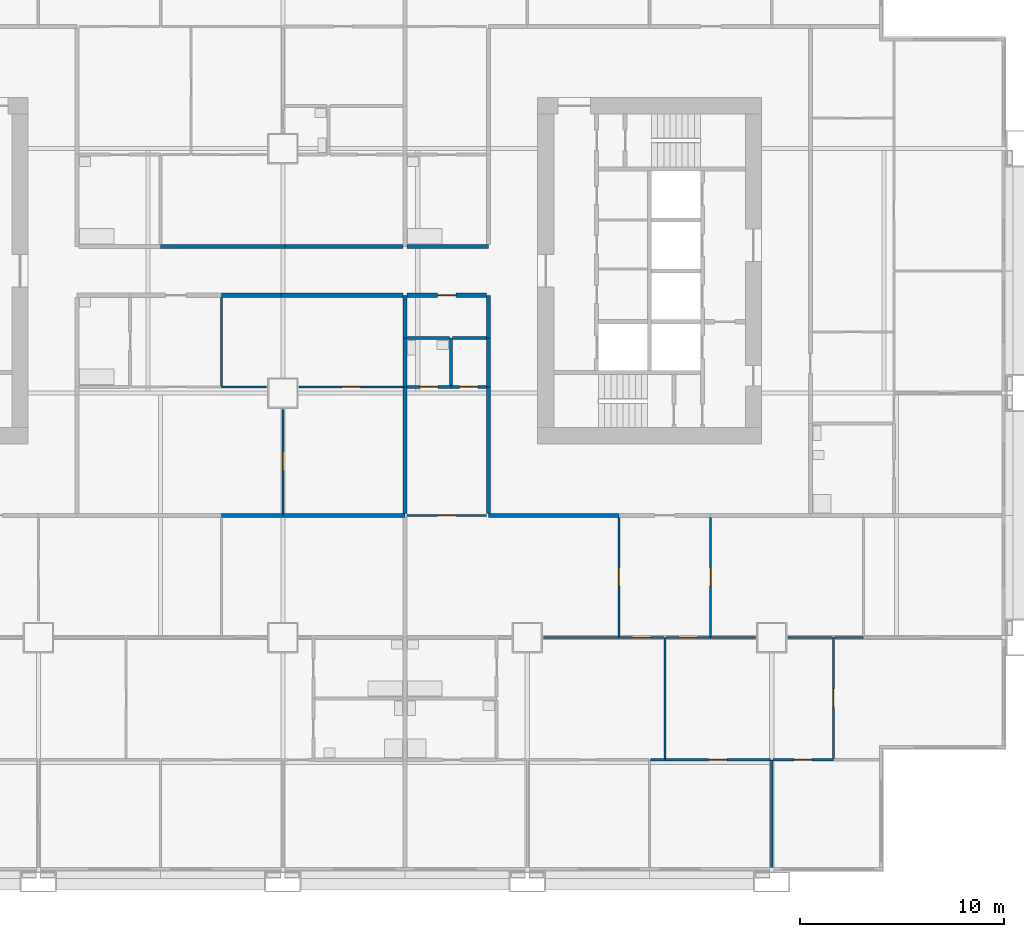
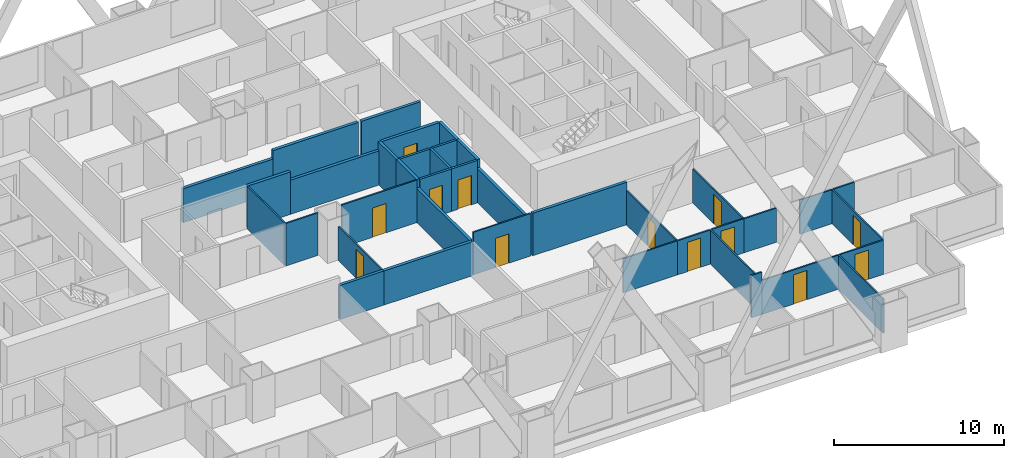
# One storey, part 6 of 13: 39 walls, 13 doors, 13 openings.
"""IFC4 building model written with IfcOpenShell, lengths in metres."""

from ifc_helpers import new_model, si_unit, direction, frame, frame_2d, origin, place, context, subcontext, project, spatial, rectangle, extrude, material, layer, layer_set, type_object, element, fill, save


model = new_model("IFC4")

# Units and contexts
model_context = context("Model", 3, precision=1e-05, world=origin(), true_north=direction((0.0, 1.0)))
body_context = subcontext(model_context, "Body", "Model", "MODEL_VIEW")
ifc_project = project(units=[si_unit("LENGTHUNIT", "METRE"), si_unit("AREAUNIT", "SQUARE_METRE"), si_unit("VOLUMEUNIT", "CUBIC_METRE"), si_unit("PLANEANGLEUNIT", "RADIAN"), si_unit("MASSUNIT", "GRAM", prefix="KILO")], contexts=[model_context])

# Site, building, storey
site_placement = place(None, origin())
site = spatial("IfcSite", under=ifc_project, at=site_placement, CompositionType="ELEMENT")
building_placement = place(site_placement, origin())
building = spatial("IfcBuilding", under=site, at=building_placement, Name="Kitamizu Gate Tower and Museum", CompositionType="ELEMENT")
storey_placement = place(building_placement, frame((0.0, 0.0, 50.699951171875)))
storey = spatial("IfcBuildingStorey", under=building, at=storey_placement, Name="L11", CompositionType="ELEMENT", Elevation=50.699951171875)

# Wall, opening, door
ifc_material_1 = material(Name="Gypsum board on galvanised stud")
ifc_layer_1 = layer(ifc_material_1, 0.10009765625)
ifc_layer_set_1 = layer_set([ifc_layer_1], Name="Gypsum board on galvanised stud")
wall_type_1 = type_object("IfcWallType", Name="Partition 100 NOT RATED", PredefinedType="PARTITIONING", material=ifc_layer_set_1)
wall_1_placement = place(storey_placement, frame((36.0, 18.10009765625, 0.0), z_axis=(0.0, 0.0, 1.0), x_axis=(0.0, 1.0, 0.0)))
wall_1 = element("IfcWall", 1, at=wall_1_placement, inside=storey, type_object=wall_type_1, Name="Partition L11-059", PredefinedType="PARTITIONING", context=body_context, shape_type="SweptSolid", body=[
    extrude(rectangle(XDim=5.099853515625, YDim=0.10009765625, at=frame_2d((2.5498046875, 0.0))), origin(), (0.0, 0.0, 1.0), 2.449951171875),
])
opening_1_placement = place(wall_1_placement, frame((2.10009765625, 0.0, 0.0)))
opening_1 = element("IfcOpeningElement", 2, at=opening_1_placement, cuts=wall_1, Name="Opening L11-023", PredefinedType="OPENING", context=body_context, shape_type="SweptSolid", body=[
    extrude(rectangle(XDim=0.89990234375, YDim=2.10009765625, at=frame_2d((0.449951171875, 1.050048828125))), frame((0.0, 0.06005859375, 0.0), z_axis=(0.0, -1.0, 0.0), x_axis=(1.0, 0.0, 0.0)), (0.0, 0.0, 1.0), 0.1201171875),
])
ifc_material_2 = material(Name="Timber door set", Category="wood")
door_type_1 = type_object("IfcDoorType", Name="Room door 900", OperationType="NOTDEFINED", PredefinedType="DOOR", material=ifc_material_2)
door_1_placement = place(opening_1_placement, frame((0.89990234375, 0.0, 0.0), x_axis=(-1.0, 0.0, 0.0)))
door_1 = element("IfcDoor", 3, at=door_1_placement, inside=storey, type_object=door_type_1, Name="Door L11-023", OperationType="SINGLE_SWING_LEFT", OverallHeight=2.10009765625, OverallWidth=0.89990234375, PredefinedType="DOOR", context=body_context, shape_type="SweptSolid", body=[
    extrude(rectangle(XDim=0.89990234375, YDim=2.10009765625, at=frame_2d((0.449951171875, 1.050048828125))), frame((0.0, 0.02490234375, 0.0), z_axis=(0.0, -1.0, 0.0), x_axis=(1.0, 0.0, 0.0)), (0.0, 0.0, 1.0), 0.050048828125),
])
fill(opening_1, door_1)

# Wall
wall_2_placement = place(storey_placement, frame((35.199951171875, 24.300048828125, 0.0), z_axis=(0.0, 0.0, 1.0), x_axis=(-1.0, 0.0, 0.0)))
element("IfcWall", 4, at=wall_2_placement, inside=storey, type_object=wall_type_1, Name="Partition L11-062", PredefinedType="PARTITIONING", context=body_context, shape_type="SweptSolid", body=[
    extrude(rectangle(XDim=2.199951171875, YDim=0.10009765625, at=frame_2d((1.10009765625, 0.0))), origin(), (0.0, 0.0, 1.0), 3.050048828125),
])

# Wall, opening, door
wall_3_placement = place(storey_placement, frame((41.89990234375, 24.300048828125, 0.0), z_axis=(0.0, 0.0, 1.0), x_axis=(-1.0, 0.0, 0.0)))
wall_3 = element("IfcWall", 5, at=wall_3_placement, inside=storey, type_object=wall_type_1, Name="Partition L11-065", PredefinedType="PARTITIONING", context=body_context, shape_type="SweptSolid", body=[
    extrude(rectangle(XDim=5.099853515625, YDim=0.10009765625, at=frame_2d((2.5498046875, 0.0))), origin(), (0.0, 0.0, 1.0), 3.050048828125),
])
opening_2_placement = place(wall_3_placement, frame((2.10009765625, 0.0, 0.0)))
opening_2 = element("IfcOpeningElement", 6, at=opening_2_placement, cuts=wall_3, Name="Opening L11-025", PredefinedType="OPENING", context=body_context, shape_type="SweptSolid", body=[
    extrude(rectangle(XDim=0.89990234375, YDim=2.10009765625, at=frame_2d((0.449951171875, 1.050048828125))), frame((0.0, 0.06005859375, 0.0), z_axis=(0.0, -1.0, 0.0), x_axis=(1.0, 0.0, 0.0)), (0.0, 0.0, 1.0), 0.1201171875),
])
door_2_placement = place(opening_2_placement, origin())
door_2 = element("IfcDoor", 7, at=door_2_placement, inside=storey, type_object=door_type_1, Name="Door L11-025", OperationType="SINGLE_SWING_RIGHT", OverallHeight=2.10009765625, OverallWidth=0.89990234375, PredefinedType="DOOR", context=body_context, shape_type="SweptSolid", body=[
    extrude(rectangle(XDim=0.89990234375, YDim=2.10009765625, at=frame_2d((0.449951171875, 1.050048828125))), frame((0.0, 0.02490234375, 0.0), z_axis=(0.0, -1.0, 0.0), x_axis=(1.0, 0.0, 0.0)), (0.0, 0.0, 1.0), 0.050048828125),
])
fill(opening_2, door_2)

# Walls
wall_4_placement = place(storey_placement, frame((33.0, 24.35009765625, 0.0), z_axis=(0.0, 0.0, 1.0), x_axis=(0.0, 1.0, 0.0)))
element("IfcWall", 8, at=wall_4_placement, inside=storey, type_object=wall_type_1, Name="Partition L11-070", PredefinedType="PARTITIONING", context=body_context, shape_type="SweptSolid", body=[
    extrude(rectangle(XDim=4.349853515625, YDim=0.10009765625, at=frame_2d((2.1748046875, 0.0))), origin(), (0.0, 0.0, 1.0), 3.050048828125),
])
wall_5_placement = place(storey_placement, frame((60.0, 0.719970703125, 0.0), z_axis=(0.0, 0.0, 1.0), x_axis=(0.0, 1.0, 0.0)))
element("IfcWall", 9, at=wall_5_placement, inside=storey, type_object=wall_type_1, Name="Partition L11-081", PredefinedType="PARTITIONING", context=body_context, shape_type="SweptSolid", body=[
    extrude(rectangle(XDim=5.280029296875, YDim=0.10009765625, at=frame_2d((2.64013671875, 0.0))), origin(), (0.0, 0.0, 1.0), 2.449951171875),
])
wall_6_placement = place(storey_placement, frame((54.760009765625, 6.0, 0.0), z_axis=(0.0, 0.0, 1.0), x_axis=(-1.0, 0.0, 0.0)))
element("IfcWall", 10, at=wall_6_placement, inside=storey, type_object=wall_type_1, Name="Partition L11-082", PredefinedType="PARTITIONING", context=body_context, shape_type="SweptSolid", body=[
    extrude(rectangle(XDim=0.7099609375, YDim=0.10009765625, at=frame_2d((0.35498046875, 0.0))), origin(), (0.0, 0.0, 1.0), 3.050048828125),
])

# Wall, opening, door
wall_7_placement = place(storey_placement, frame((59.949951171875, 6.0, 0.0), z_axis=(0.0, 0.0, 1.0), x_axis=(-1.0, 0.0, 0.0)))
wall_7 = element("IfcWall", 11, at=wall_7_placement, inside=storey, type_object=wall_type_1, Name="Partition L11-083", PredefinedType="PARTITIONING", context=body_context, shape_type="SweptSolid", body=[
    extrude(rectangle(XDim=5.18994140625, YDim=0.10009765625, at=frame_2d((2.594970703125, 0.0))), origin(), (0.0, 0.0, 1.0), 2.449951171875),
])
opening_3_placement = place(wall_7_placement, frame((2.14501953125, 0.0, 0.0)))
opening_3 = element("IfcOpeningElement", 12, at=opening_3_placement, cuts=wall_7, Name="Opening L11-033", PredefinedType="OPENING", context=body_context, shape_type="SweptSolid", body=[
    extrude(rectangle(XDim=0.89990234375, YDim=2.10009765625, at=frame_2d((0.449951171875, 1.050048828125))), frame((0.0, 0.06005859375, 0.0), z_axis=(0.0, -1.0, 0.0), x_axis=(1.0, 0.0, 0.0)), (0.0, 0.0, 1.0), 0.1201171875),
])
door_3_placement = place(opening_3_placement, origin())
door_3 = element("IfcDoor", 13, at=door_3_placement, inside=storey, type_object=door_type_1, Name="Door L11-033", OperationType="SINGLE_SWING_LEFT", OverallHeight=2.10009765625, OverallWidth=0.89990234375, PredefinedType="DOOR", context=body_context, shape_type="SweptSolid", body=[
    extrude(rectangle(XDim=0.89990234375, YDim=2.10009765625, at=frame_2d((0.449951171875, 1.050048828125))), frame((0.0, 0.02490234375, 0.0), z_axis=(0.0, -1.0, 0.0), x_axis=(1.0, 0.0, 0.0)), (0.0, 0.0, 1.0), 0.050048828125),
])
fill(opening_3, door_3)

wall_8_placement = place(storey_placement, frame((63.02001953125, 6.0, 0.0), z_axis=(0.0, 0.0, 1.0), x_axis=(-1.0, 0.0, 0.0)))
wall_8 = element("IfcWall", 14, at=wall_8_placement, inside=storey, type_object=wall_type_1, Name="Partition L11-084", PredefinedType="PARTITIONING", context=body_context, shape_type="SweptSolid", body=[
    extrude(rectangle(XDim=2.969970703125, YDim=0.10009765625, at=frame_2d((1.48486328125, 0.0))), origin(), (0.0, 0.0, 1.0), 2.449951171875),
])
opening_4_placement = place(wall_8_placement, frame((1.034912109375, 0.0, 0.0)))
opening_4 = element("IfcOpeningElement", 15, at=opening_4_placement, cuts=wall_8, Name="Opening L11-034", PredefinedType="OPENING", context=body_context, shape_type="SweptSolid", body=[
    extrude(rectangle(XDim=0.89990234375, YDim=2.10009765625, at=frame_2d((0.449951171875, 1.050048828125))), frame((0.0, 0.06005859375, 0.0), z_axis=(0.0, -1.0, 0.0), x_axis=(1.0, 0.0, 0.0)), (0.0, 0.0, 1.0), 0.1201171875),
])
door_4_placement = place(opening_4_placement, origin())
door_4 = element("IfcDoor", 16, at=door_4_placement, inside=storey, type_object=door_type_1, Name="Door L11-034", OperationType="SINGLE_SWING_LEFT", OverallHeight=2.10009765625, OverallWidth=0.89990234375, PredefinedType="DOOR", context=body_context, shape_type="SweptSolid", body=[
    extrude(rectangle(XDim=0.89990234375, YDim=2.10009765625, at=frame_2d((0.449951171875, 1.050048828125))), frame((0.0, 0.02490234375, 0.0), z_axis=(0.0, -1.0, 0.0), x_axis=(1.0, 0.0, 0.0)), (0.0, 0.0, 1.0), 0.050048828125),
])
fill(opening_4, door_4)

# Walls
wall_9_placement = place(storey_placement, frame((54.760009765625, 6.050048828125, 0.0), z_axis=(0.0, 0.0, 1.0), x_axis=(0.0, 1.0, 0.0)))
element("IfcWall", 17, at=wall_9_placement, inside=storey, type_object=wall_type_1, Name="Partition L11-090", PredefinedType="PARTITIONING", context=body_context, shape_type="SweptSolid", body=[
    extrude(rectangle(XDim=5.949951171875, YDim=0.10009765625, at=frame_2d((2.97509765625, 0.0))), origin(), (0.0, 0.0, 1.0), 2.449951171875),
])
wall_10_placement = place(storey_placement, frame((52.5, 12.0, 0.0), z_axis=(0.0, 0.0, 1.0), x_axis=(-1.0, 0.0, 0.0)))
element("IfcWall", 18, at=wall_10_placement, inside=storey, type_object=wall_type_1, Name="Partition L11-092", PredefinedType="PARTITIONING", context=body_context, shape_type="SweptSolid", body=[
    extrude(rectangle(XDim=3.699951171875, YDim=0.10009765625, at=frame_2d((1.85009765625, 0.0))), origin(), (0.0, 0.0, 1.0), 2.449951171875),
])

# Wall, opening, door
wall_11_placement = place(storey_placement, frame((54.7099609375, 12.0, 0.0), z_axis=(0.0, 0.0, 1.0), x_axis=(-1.0, 0.0, 0.0)))
wall_11 = element("IfcWall", 19, at=wall_11_placement, inside=storey, type_object=wall_type_1, Name="Partition L11-093", PredefinedType="PARTITIONING", context=body_context, shape_type="SweptSolid", body=[
    extrude(rectangle(XDim=2.2099609375, YDim=0.10009765625, at=frame_2d((1.10498046875, 0.0))), origin(), (0.0, 0.0, 1.0), 2.449951171875),
])
opening_5_placement = place(wall_11_placement, frame((0.655029296875, 0.0, 0.0)))
opening_5 = element("IfcOpeningElement", 20, at=opening_5_placement, cuts=wall_11, Name="Opening L11-027", PredefinedType="OPENING", context=body_context, shape_type="SweptSolid", body=[
    extrude(rectangle(XDim=0.89990234375, YDim=2.10009765625, at=frame_2d((0.449951171875, 1.050048828125))), frame((0.0, 0.06005859375, 0.0), z_axis=(0.0, -1.0, 0.0), x_axis=(1.0, 0.0, 0.0)), (0.0, 0.0, 1.0), 0.1201171875),
])
door_5_placement = place(opening_5_placement, frame((0.89990234375, 0.0, 0.0), x_axis=(-1.0, 0.0, 0.0)))
door_5 = element("IfcDoor", 21, at=door_5_placement, inside=storey, type_object=door_type_1, Name="Door L11-027", OperationType="SINGLE_SWING_RIGHT", OverallHeight=2.10009765625, OverallWidth=0.89990234375, PredefinedType="DOOR", context=body_context, shape_type="SweptSolid", body=[
    extrude(rectangle(XDim=0.89990234375, YDim=2.10009765625, at=frame_2d((0.449951171875, 1.050048828125))), frame((0.0, 0.02490234375, 0.0), z_axis=(0.0, -1.0, 0.0), x_axis=(1.0, 0.0, 0.0)), (0.0, 0.0, 1.0), 0.050048828125),
])
fill(opening_5, door_5)

wall_12_placement = place(storey_placement, frame((63.02001953125, 6.050048828125, 0.0), z_axis=(0.0, 0.0, 1.0), x_axis=(0.0, 1.0, 0.0)))
wall_12 = element("IfcWall", 22, at=wall_12_placement, inside=storey, type_object=wall_type_1, Name="Partition L11-094", PredefinedType="PARTITIONING", context=body_context, shape_type="SweptSolid", body=[
    extrude(rectangle(XDim=5.949951171875, YDim=0.10009765625, at=frame_2d((2.97509765625, 0.0))), origin(), (0.0, 0.0, 1.0), 2.449951171875),
])
opening_6_placement = place(wall_12_placement, frame((2.52490234375, 0.0, 0.0)))
opening_6 = element("IfcOpeningElement", 23, at=opening_6_placement, cuts=wall_12, Name="Opening L11-030", PredefinedType="OPENING", context=body_context, shape_type="SweptSolid", body=[
    extrude(rectangle(XDim=0.89990234375, YDim=2.10009765625, at=frame_2d((0.449951171875, 1.050048828125))), frame((0.0, 0.06005859375, 0.0), z_axis=(0.0, -1.0, 0.0), x_axis=(1.0, 0.0, 0.0)), (0.0, 0.0, 1.0), 0.1201171875),
])
door_6_placement = place(opening_6_placement, frame((0.89990234375, 0.0, 0.0), x_axis=(-1.0, 0.0, 0.0)))
door_6 = element("IfcDoor", 24, at=door_6_placement, inside=storey, type_object=door_type_1, Name="Door L11-030", OperationType="SINGLE_SWING_LEFT", OverallHeight=2.10009765625, OverallWidth=0.89990234375, PredefinedType="DOOR", context=body_context, shape_type="SweptSolid", body=[
    extrude(rectangle(XDim=0.89990234375, YDim=2.10009765625, at=frame_2d((0.449951171875, 1.050048828125))), frame((0.0, 0.02490234375, 0.0), z_axis=(0.0, -1.0, 0.0), x_axis=(1.0, 0.0, 0.0)), (0.0, 0.0, 1.0), 0.050048828125),
])
fill(opening_6, door_6)

wall_13_placement = place(storey_placement, frame((57.0, 12.0, 0.0), z_axis=(0.0, 0.0, 1.0), x_axis=(-1.0, 0.0, 0.0)))
wall_13 = element("IfcWall", 25, at=wall_13_placement, inside=storey, type_object=wall_type_1, Name="Partition L11-095", PredefinedType="PARTITIONING", context=body_context, shape_type="SweptSolid", body=[
    extrude(rectangle(XDim=2.18994140625, YDim=0.10009765625, at=frame_2d((1.094970703125, 0.0))), origin(), (0.0, 0.0, 1.0), 2.449951171875),
])
opening_7_placement = place(wall_13_placement, frame((0.64501953125, 0.0, 0.0)))
opening_7 = element("IfcOpeningElement", 26, at=opening_7_placement, cuts=wall_13, Name="Opening L11-028", PredefinedType="OPENING", context=body_context, shape_type="SweptSolid", body=[
    extrude(rectangle(XDim=0.89990234375, YDim=2.10009765625, at=frame_2d((0.449951171875, 1.050048828125))), frame((0.0, 0.06005859375, 0.0), z_axis=(0.0, -1.0, 0.0), x_axis=(1.0, 0.0, 0.0)), (0.0, 0.0, 1.0), 0.1201171875),
])
door_7_placement = place(opening_7_placement, origin())
door_7 = element("IfcDoor", 27, at=door_7_placement, inside=storey, type_object=door_type_1, Name="Door L11-028", OperationType="SINGLE_SWING_LEFT", OverallHeight=2.10009765625, OverallWidth=0.89990234375, PredefinedType="DOOR", context=body_context, shape_type="SweptSolid", body=[
    extrude(rectangle(XDim=0.89990234375, YDim=2.10009765625, at=frame_2d((0.449951171875, 1.050048828125))), frame((0.0, 0.02490234375, 0.0), z_axis=(0.0, -1.0, 0.0), x_axis=(1.0, 0.0, 0.0)), (0.0, 0.0, 1.0), 0.050048828125),
])
fill(opening_7, door_7)

# Walls
wall_14_placement = place(storey_placement, frame((59.199951171875, 12.0, 0.0), z_axis=(0.0, 0.0, 1.0), x_axis=(-1.0, 0.0, 0.0)))
element("IfcWall", 28, at=wall_14_placement, inside=storey, type_object=wall_type_1, Name="Partition L11-096", PredefinedType="PARTITIONING", context=body_context, shape_type="SweptSolid", body=[
    extrude(rectangle(XDim=2.199951171875, YDim=0.10009765625, at=frame_2d((1.10009765625, 0.0))), origin(), (0.0, 0.0, 1.0), 2.449951171875),
])
wall_15_placement = place(storey_placement, frame((62.969970703125, 12.0, 0.0), z_axis=(0.0, 0.0, 1.0), x_axis=(-1.0, 0.0, 0.0)))
element("IfcWall", 29, at=wall_15_placement, inside=storey, type_object=wall_type_1, Name="Partition L11-097", PredefinedType="PARTITIONING", context=body_context, shape_type="SweptSolid", body=[
    extrude(rectangle(XDim=2.169921875, YDim=0.10009765625, at=frame_2d((1.0849609375, 0.0))), origin(), (0.0, 0.0, 1.0), 2.449951171875),
])
wall_16_placement = place(storey_placement, frame((64.5, 12.0, 0.0), z_axis=(0.0, 0.0, 1.0), x_axis=(-1.0, 0.0, 0.0)))
element("IfcWall", 30, at=wall_16_placement, inside=storey, type_object=wall_type_1, Name="Partition L11-098", PredefinedType="PARTITIONING", context=body_context, shape_type="SweptSolid", body=[
    extrude(rectangle(XDim=1.429931640625, YDim=0.10009765625, at=frame_2d((0.71484375, 0.0))), origin(), (0.0, 0.0, 1.0), 2.449951171875),
])

# Wall, opening, door
wall_17_placement = place(storey_placement, frame((52.5, 12.050048828125, 0.0), z_axis=(0.0, 0.0, 1.0), x_axis=(0.0, 1.0, 0.0)))
wall_17 = element("IfcWall", 31, at=wall_17_placement, inside=storey, type_object=wall_type_1, Name="Partition L11-100", PredefinedType="PARTITIONING", context=body_context, shape_type="SweptSolid", body=[
    extrude(rectangle(XDim=5.849853515625, YDim=0.10009765625, at=frame_2d((2.9248046875, 0.0))), origin(), (0.0, 0.0, 1.0), 2.449951171875),
])
opening_8_placement = place(wall_17_placement, frame((2.47509765625, 0.0, 0.0)))
opening_8 = element("IfcOpeningElement", 32, at=opening_8_placement, cuts=wall_17, Name="Opening L11-036", PredefinedType="OPENING", context=body_context, shape_type="SweptSolid", body=[
    extrude(rectangle(XDim=0.89990234375, YDim=2.10009765625, at=frame_2d((0.449951171875, 1.050048828125))), frame((0.0, 0.06005859375, 0.0), z_axis=(0.0, -1.0, 0.0), x_axis=(1.0, 0.0, 0.0)), (0.0, 0.0, 1.0), 0.1201171875),
])
door_8_placement = place(opening_8_placement, origin())
door_8 = element("IfcDoor", 33, at=door_8_placement, inside=storey, type_object=door_type_1, Name="Door L11-036", OperationType="SINGLE_SWING_LEFT", OverallHeight=2.10009765625, OverallWidth=0.89990234375, PredefinedType="DOOR", context=body_context, shape_type="SweptSolid", body=[
    extrude(rectangle(XDim=0.89990234375, YDim=2.10009765625, at=frame_2d((0.449951171875, 1.050048828125))), frame((0.0, 0.02490234375, 0.0), z_axis=(0.0, -1.0, 0.0), x_axis=(1.0, 0.0, 0.0)), (0.0, 0.0, 1.0), 0.050048828125),
])
fill(opening_8, door_8)

wall_18_placement = place(storey_placement, frame((46.0, 18.0, 0.0), z_axis=(0.0, 0.0, 1.0), x_axis=(-1.0, 0.0, 0.0)))
wall_18 = element("IfcWall", 34, at=wall_18_placement, inside=storey, type_object=wall_type_1, Name="Partition L11-101", PredefinedType="PARTITIONING", context=body_context, shape_type="SweptSolid", body=[
    extrude(rectangle(XDim=3.89990234375, YDim=0.10009765625, at=frame_2d((1.949951171875, 0.0))), origin(), (0.0, 0.0, 1.0), 3.050048828125),
])
opening_9_placement = place(wall_18_placement, frame((1.5, 0.0, 0.0)))
opening_9 = element("IfcOpeningElement", 35, at=opening_9_placement, cuts=wall_18, Name="Opening L11-039", PredefinedType="OPENING", context=body_context, shape_type="SweptSolid", body=[
    extrude(rectangle(XDim=0.89990234375, YDim=2.10009765625, at=frame_2d((0.449951171875, 1.050048828125))), frame((0.0, 0.06005859375, 0.0), z_axis=(0.0, -1.0, 0.0), x_axis=(1.0, 0.0, 0.0)), (0.0, 0.0, 1.0), 0.1201171875),
])
door_9_placement = place(opening_9_placement, frame((0.89990234375, 0.0, 0.0), x_axis=(-1.0, 0.0, 0.0)))
door_9 = element("IfcDoor", 36, at=door_9_placement, inside=storey, type_object=door_type_1, Name="Door L11-039", OperationType="SINGLE_SWING_LEFT", OverallHeight=2.10009765625, OverallWidth=0.89990234375, PredefinedType="DOOR", context=body_context, shape_type="SweptSolid", body=[
    extrude(rectangle(XDim=0.89990234375, YDim=2.10009765625, at=frame_2d((0.449951171875, 1.050048828125))), frame((0.0, 0.02490234375, 0.0), z_axis=(0.0, -1.0, 0.0), x_axis=(1.0, 0.0, 0.0)), (0.0, 0.0, 1.0), 0.050048828125),
])
fill(opening_9, door_9)

wall_19_placement = place(storey_placement, frame((57.0, 12.050048828125, 0.0), z_axis=(0.0, 0.0, 1.0), x_axis=(0.0, 1.0, 0.0)))
wall_19 = element("IfcWall", 37, at=wall_19_placement, inside=storey, type_object=wall_type_1, Name="Partition L11-103", PredefinedType="PARTITIONING", context=body_context, shape_type="SweptSolid", body=[
    extrude(rectangle(XDim=5.849853515625, YDim=0.10009765625, at=frame_2d((2.9248046875, 0.0))), origin(), (0.0, 0.0, 1.0), 2.449951171875),
])
opening_10_placement = place(wall_19_placement, frame((2.47509765625, 0.0, 0.0)))
opening_10 = element("IfcOpeningElement", 38, at=opening_10_placement, cuts=wall_19, Name="Opening L11-037", PredefinedType="OPENING", context=body_context, shape_type="SweptSolid", body=[
    extrude(rectangle(XDim=0.89990234375, YDim=2.10009765625, at=frame_2d((0.449951171875, 1.050048828125))), frame((0.0, 0.06005859375, 0.0), z_axis=(0.0, -1.0, 0.0), x_axis=(1.0, 0.0, 0.0)), (0.0, 0.0, 1.0), 0.1201171875),
])
door_10_placement = place(opening_10_placement, frame((0.89990234375, 0.0, 0.0), x_axis=(-1.0, 0.0, 0.0)))
door_10 = element("IfcDoor", 39, at=door_10_placement, inside=storey, type_object=door_type_1, Name="Door L11-037", OperationType="SINGLE_SWING_LEFT", OverallHeight=2.10009765625, OverallWidth=0.89990234375, PredefinedType="DOOR", context=body_context, shape_type="SweptSolid", body=[
    extrude(rectangle(XDim=0.89990234375, YDim=2.10009765625, at=frame_2d((0.449951171875, 1.050048828125))), frame((0.0, 0.02490234375, 0.0), z_axis=(0.0, -1.0, 0.0), x_axis=(1.0, 0.0, 0.0)), (0.0, 0.0, 1.0), 0.050048828125),
])
fill(opening_10, door_10)

ifc_material_3 = material(Name="Gypsum board on galvanised stud")
ifc_layer_2 = layer(ifc_material_3, 0.14990234375)
ifc_layer_set_2 = layer_set([ifc_layer_2], Name="Gypsum board on galvanised stud")
wall_type_2 = type_object("IfcWallType", Name="Partition 150", PredefinedType="PARTITIONING", material=ifc_layer_set_2)
wall_20_placement = place(storey_placement, frame((44.25, 24.300048828125, 0.0), z_axis=(0.0, 0.0, 1.0), x_axis=(-1.0, 0.0, 0.0)))
wall_20 = element("IfcWall", 40, at=wall_20_placement, inside=storey, type_object=wall_type_2, Name="Partition L11-110", PredefinedType="PARTITIONING", context=body_context, shape_type="SweptSolid", body=[
    extrude(rectangle(XDim=2.14990234375, YDim=0.14990234375, at=frame_2d((1.074951171875, 0.0))), origin(), (0.0, 0.0, 1.0), 3.050048828125),
])
opening_11_placement = place(wall_20_placement, frame((0.625, 0.0, 0.0)))
opening_11 = element("IfcOpeningElement", 41, at=opening_11_placement, cuts=wall_20, Name="Opening L11-040", PredefinedType="OPENING", context=body_context, shape_type="SweptSolid", body=[
    extrude(rectangle(XDim=0.89990234375, YDim=2.10009765625, at=frame_2d((0.449951171875, 1.050048828125))), frame((0.0, 0.0849609375, 0.0), z_axis=(0.0, -1.0, 0.0), x_axis=(1.0, 0.0, 0.0)), (0.0, 0.0, 1.0), 0.169921875),
])
ifc_material_4 = material(Name="Timber door set", Category="wood")
door_type_2 = type_object("IfcDoorType", Name="Bathroom door 900", OperationType="NOTDEFINED", PredefinedType="DOOR", material=ifc_material_4)
door_11_placement = place(opening_11_placement, frame((0.89990234375, 0.0, 0.0), x_axis=(-1.0, 0.0, 0.0)))
door_11 = element("IfcDoor", 42, at=door_11_placement, inside=storey, type_object=door_type_2, Name="Bathroom door L11-040", OperationType="SINGLE_SWING_RIGHT", OverallHeight=2.10009765625, OverallWidth=0.89990234375, PredefinedType="DOOR", context=body_context, shape_type="SweptSolid", body=[
    extrude(rectangle(XDim=0.89990234375, YDim=2.10009765625, at=frame_2d((0.449951171875, 1.050048828125))), frame((0.0, 0.02490234375, 0.0), z_axis=(0.0, -1.0, 0.0), x_axis=(1.0, 0.0, 0.0)), (0.0, 0.0, 1.0), 0.050048828125),
])
fill(opening_11, door_11)

wall_21_placement = place(storey_placement, frame((46.0, 24.300048828125, 0.0), z_axis=(0.0, 0.0, 1.0), x_axis=(-1.0, 0.0, 0.0)))
wall_21 = element("IfcWall", 43, at=wall_21_placement, inside=storey, type_object=wall_type_2, Name="Partition L11-111", PredefinedType="PARTITIONING", context=body_context, shape_type="SweptSolid", body=[
    extrude(rectangle(XDim=1.75, YDim=0.14990234375, at=frame_2d((0.875, 0.0))), origin(), (0.0, 0.0, 1.0), 3.050048828125),
])
opening_12_placement = place(wall_21_placement, frame((0.425048828125, 0.0, 0.0)))
opening_12 = element("IfcOpeningElement", 44, at=opening_12_placement, cuts=wall_21, Name="Opening L11-041", PredefinedType="OPENING", context=body_context, shape_type="SweptSolid", body=[
    extrude(rectangle(XDim=0.89990234375, YDim=2.10009765625, at=frame_2d((0.449951171875, 1.050048828125))), frame((0.0, 0.0849609375, 0.0), z_axis=(0.0, -1.0, 0.0), x_axis=(1.0, 0.0, 0.0)), (0.0, 0.0, 1.0), 0.169921875),
])
door_12_placement = place(opening_12_placement, frame((0.89990234375, 0.0, 0.0), x_axis=(-1.0, 0.0, 0.0)))
door_12 = element("IfcDoor", 45, at=door_12_placement, inside=storey, type_object=door_type_2, Name="Bathroom door L11-041", OperationType="SINGLE_SWING_LEFT", OverallHeight=2.10009765625, OverallWidth=0.89990234375, PredefinedType="DOOR", context=body_context, shape_type="SweptSolid", body=[
    extrude(rectangle(XDim=0.89990234375, YDim=2.10009765625, at=frame_2d((0.449951171875, 1.050048828125))), frame((0.0, 0.02490234375, 0.0), z_axis=(0.0, -1.0, 0.0), x_axis=(1.0, 0.0, 0.0)), (0.0, 0.0, 1.0), 0.050048828125),
])
fill(opening_12, door_12)

# Walls
wall_22_placement = place(storey_placement, frame((44.25, 24.375, 0.0), z_axis=(0.0, 0.0, 1.0), x_axis=(0.0, 1.0, 0.0)))
element("IfcWall", 46, at=wall_22_placement, inside=storey, type_object=wall_type_2, Name="Partition L11-113", PredefinedType="PARTITIONING", context=body_context, shape_type="SweptSolid", body=[
    extrude(rectangle(XDim=2.324951171875, YDim=0.14990234375, at=frame_2d((1.16259765625, 0.0))), origin(), (0.0, 0.0, 1.0), 3.050048828125),
])
wall_23_placement = place(storey_placement, frame((44.175048828125, 26.699951171875, 0.0), z_axis=(0.0, 0.0, 1.0), x_axis=(-1.0, 0.0, 0.0)))
element("IfcWall", 47, at=wall_23_placement, inside=storey, type_object=wall_type_2, Name="Partition L11-114", PredefinedType="PARTITIONING", context=body_context, shape_type="SweptSolid", body=[
    extrude(rectangle(XDim=2.074951171875, YDim=0.14990234375, at=frame_2d((1.03759765625, 0.0))), origin(), (0.0, 0.0, 1.0), 3.050048828125),
])
wall_24_placement = place(storey_placement, frame((46.0, 26.699951171875, 0.0), z_axis=(0.0, 0.0, 1.0), x_axis=(-1.0, 0.0, 0.0)))
element("IfcWall", 48, at=wall_24_placement, inside=storey, type_object=wall_type_2, Name="Partition L11-115", PredefinedType="PARTITIONING", context=body_context, shape_type="SweptSolid", body=[
    extrude(rectangle(XDim=1.675048828125, YDim=0.14990234375, at=frame_2d((0.83740234375, 0.0))), origin(), (0.0, 0.0, 1.0), 3.050048828125),
])
ifc_material_5 = material(Name="Gypsum board on galvanised stud")
ifc_layer_3 = layer(ifc_material_5, 0.199951171875)
ifc_layer_set_3 = layer_set([ifc_layer_3], Name="Gypsum board on galvanised stud")
wall_type_3 = type_object("IfcWallType", Name="Partition 200", PredefinedType="PARTITIONING", material=ifc_layer_set_3)
wall_25_placement = place(storey_placement, frame((36.0, 18.0, 0.0), z_axis=(0.0, 0.0, 1.0), x_axis=(-1.0, 0.0, 0.0)))
element("IfcWall", 49, at=wall_25_placement, inside=storey, type_object=wall_type_3, Name="Partition L11-056", PredefinedType="PARTITIONING", context=body_context, shape_type="SweptSolid", body=[
    extrude(rectangle(XDim=3.0, YDim=0.199951171875, at=frame_2d((1.5, 0.0))), origin(), (0.0, 0.0, 1.0), 2.449951171875),
])
wall_26_placement = place(storey_placement, frame((42.0, 18.0, 0.0), z_axis=(0.0, 0.0, 1.0), x_axis=(-1.0, 0.0, 0.0)))
element("IfcWall", 50, at=wall_26_placement, inside=storey, type_object=wall_type_3, Name="Partition L11-057", PredefinedType="PARTITIONING", context=body_context, shape_type="SweptSolid", body=[
    extrude(rectangle(XDim=6.0, YDim=0.199951171875, at=frame_2d((3.0, 0.0))), origin(), (0.0, 0.0, 1.0), 2.449951171875),
])
wall_27_placement = place(storey_placement, frame((42.0, 18.10009765625, 0.0), z_axis=(0.0, 0.0, 1.0), x_axis=(0.0, 1.0, 0.0)))
element("IfcWall", 51, at=wall_27_placement, inside=storey, type_object=wall_type_3, Name="Partition L11-066", PredefinedType="PARTITIONING", context=body_context, shape_type="SweptSolid", body=[
    extrude(rectangle(XDim=6.199951171875, YDim=0.199951171875, at=frame_2d((3.10009765625, 0.0))), origin(), (0.0, 0.0, 1.0), 2.449951171875),
])
wall_28_placement = place(storey_placement, frame((42.0, 24.300048828125, 0.0), z_axis=(0.0, 0.0, 1.0), x_axis=(0.0, 1.0, 0.0)))
element("IfcWall", 52, at=wall_28_placement, inside=storey, type_object=wall_type_3, Name="Partition L11-072", PredefinedType="PARTITIONING", context=body_context, shape_type="SweptSolid", body=[
    extrude(rectangle(XDim=2.39990234375, YDim=0.199951171875, at=frame_2d((1.199951171875, 0.0))), origin(), (0.0, 0.0, 1.0), 3.050048828125),
])
wall_29_placement = place(storey_placement, frame((42.0, 26.699951171875, 0.0), z_axis=(0.0, 0.0, 1.0), x_axis=(0.0, 1.0, 0.0)))
element("IfcWall", 53, at=wall_29_placement, inside=storey, type_object=wall_type_3, Name="Partition L11-073", PredefinedType="PARTITIONING", context=body_context, shape_type="SweptSolid", body=[
    extrude(rectangle(XDim=2.10009765625, YDim=0.199951171875, at=frame_2d((1.050048828125, 0.0))), origin(), (0.0, 0.0, 1.0), 3.050048828125),
])
wall_30_placement = place(storey_placement, frame((41.89990234375, 28.800048828125, 0.0), z_axis=(0.0, 0.0, 1.0), x_axis=(-1.0, 0.0, 0.0)))
element("IfcWall", 54, at=wall_30_placement, inside=storey, type_object=wall_type_3, Name="Partition L11-074", PredefinedType="PARTITIONING", context=body_context, shape_type="SweptSolid", body=[
    extrude(rectangle(XDim=6.0, YDim=0.199951171875, at=frame_2d((3.0, 0.0))), origin(), (0.0, 0.0, 1.0), 2.449951171875),
])
wall_31_placement = place(storey_placement, frame((35.89990234375, 28.800048828125, 0.0), z_axis=(0.0, 0.0, 1.0), x_axis=(-1.0, 0.0, 0.0)))
element("IfcWall", 55, at=wall_31_placement, inside=storey, type_object=wall_type_3, Name="Partition L11-075", PredefinedType="PARTITIONING", context=body_context, shape_type="SweptSolid", body=[
    extrude(rectangle(XDim=2.89990234375, YDim=0.199951171875, at=frame_2d((1.449951171875, 0.0))), origin(), (0.0, 0.0, 1.0), 3.050048828125),
])
wall_32_placement = place(storey_placement, frame((52.5, 18.0, 0.0), z_axis=(0.0, 0.0, 1.0), x_axis=(-1.0, 0.0, 0.0)))
element("IfcWall", 56, at=wall_32_placement, inside=storey, type_object=wall_type_3, Name="Partition L11-102", PredefinedType="PARTITIONING", context=body_context, shape_type="SweptSolid", body=[
    extrude(rectangle(XDim=6.39990234375, YDim=0.199951171875, at=frame_2d((3.199951171875, 0.0))), origin(), (0.0, 0.0, 1.0), 3.050048828125),
])
wall_33_placement = place(storey_placement, frame((46.10009765625, 18.10009765625, 0.0), z_axis=(0.0, 0.0, 1.0), x_axis=(0.0, 1.0, 0.0)))
element("IfcWall", 57, at=wall_33_placement, inside=storey, type_object=wall_type_3, Name="Partition L11-112", PredefinedType="PARTITIONING", context=body_context, shape_type="SweptSolid", body=[
    extrude(rectangle(XDim=6.199951171875, YDim=0.199951171875, at=frame_2d((3.10009765625, 0.0))), origin(), (0.0, 0.0, 1.0), 2.449951171875),
])
wall_34_placement = place(storey_placement, frame((46.10009765625, 24.300048828125, 0.0), z_axis=(0.0, 0.0, 1.0), x_axis=(0.0, 1.0, 0.0)))
element("IfcWall", 58, at=wall_34_placement, inside=storey, type_object=wall_type_3, Name="Partition L11-116", PredefinedType="PARTITIONING", context=body_context, shape_type="SweptSolid", body=[
    extrude(rectangle(XDim=2.39990234375, YDim=0.199951171875, at=frame_2d((1.199951171875, 0.0))), origin(), (0.0, 0.0, 1.0), 3.050048828125),
])
wall_35_placement = place(storey_placement, frame((46.10009765625, 26.699951171875, 0.0), z_axis=(0.0, 0.0, 1.0), x_axis=(0.0, 1.0, 0.0)))
element("IfcWall", 59, at=wall_35_placement, inside=storey, type_object=wall_type_3, Name="Partition L11-117", PredefinedType="PARTITIONING", context=body_context, shape_type="SweptSolid", body=[
    extrude(rectangle(XDim=2.10009765625, YDim=0.199951171875, at=frame_2d((1.050048828125, 0.0))), origin(), (0.0, 0.0, 1.0), 3.050048828125),
])

# Wall, opening, door
wall_36_placement = place(storey_placement, frame((46.0, 28.800048828125, 0.0), z_axis=(0.0, 0.0, 1.0), x_axis=(-1.0, 0.0, 0.0)))
wall_36 = element("IfcWall", 60, at=wall_36_placement, inside=storey, type_object=wall_type_3, Name="Partition L11-118", PredefinedType="PARTITIONING", context=body_context, shape_type="SweptSolid", body=[
    extrude(rectangle(XDim=3.89990234375, YDim=0.199951171875, at=frame_2d((1.949951171875, 0.0))), origin(), (0.0, 0.0, 1.0), 3.050048828125),
])
opening_13_placement = place(wall_36_placement, frame((1.5, 0.0, 0.0)))
opening_13 = element("IfcOpeningElement", 61, at=opening_13_placement, cuts=wall_36, Name="Opening L11-042", PredefinedType="OPENING", context=body_context, shape_type="SweptSolid", body=[
    extrude(rectangle(XDim=0.89990234375, YDim=2.10009765625, at=frame_2d((0.449951171875, 1.050048828125))), frame((0.0, 0.10986328125, 0.0), z_axis=(0.0, -1.0, 0.0), x_axis=(1.0, 0.0, 0.0)), (0.0, 0.0, 1.0), 0.219970703125),
])
ifc_material_6 = material(Name="Timber door set", Category="wood")
door_type_3 = type_object("IfcDoorType", Name="Store door 900", OperationType="NOTDEFINED", PredefinedType="DOOR", material=ifc_material_6)
door_13_placement = place(opening_13_placement, origin())
door_13 = element("IfcDoor", 62, at=door_13_placement, inside=storey, type_object=door_type_3, Name="Service entrance door L11-042", OperationType="SINGLE_SWING_LEFT", OverallHeight=2.10009765625, OverallWidth=0.89990234375, PredefinedType="DOOR", context=body_context, shape_type="SweptSolid", body=[
    extrude(rectangle(XDim=0.89990234375, YDim=2.10009765625, at=frame_2d((0.449951171875, 1.050048828125))), frame((0.0, 0.02490234375, 0.0), z_axis=(0.0, -1.0, 0.0), x_axis=(1.0, 0.0, 0.0)), (0.0, 0.0, 1.0), 0.050048828125),
])
fill(opening_13, door_13)

# Walls
wall_37_placement = place(storey_placement, frame((30.0, 31.199951171875, 0.0), z_axis=(0.0, 0.0, 1.0), x_axis=(1.0, 0.0, 0.0)))
element("IfcWall", 63, at=wall_37_placement, inside=storey, type_object=wall_type_3, Name="Partition L11-154", PredefinedType="PARTITIONING", context=body_context, shape_type="SweptSolid", body=[
    extrude(rectangle(XDim=6.10009765625, YDim=0.199951171875, at=frame_2d((3.050048828125, 0.0))), origin(), (0.0, 0.0, 1.0), 2.449951171875),
])
wall_38_placement = place(storey_placement, frame((36.10009765625, 31.199951171875, 0.0), z_axis=(0.0, 0.0, 1.0), x_axis=(1.0, 0.0, 0.0)))
element("IfcWall", 64, at=wall_38_placement, inside=storey, type_object=wall_type_3, Name="Partition L11-155", PredefinedType="PARTITIONING", context=body_context, shape_type="SweptSolid", body=[
    extrude(rectangle(XDim=5.7998046875, YDim=0.199951171875, at=frame_2d((2.89990234375, 0.0))), origin(), (0.0, 0.0, 1.0), 3.050048828125),
])
wall_39_placement = place(storey_placement, frame((42.10009765625, 31.199951171875, 0.0), z_axis=(0.0, 0.0, 1.0), x_axis=(1.0, 0.0, 0.0)))
element("IfcWall", 65, at=wall_39_placement, inside=storey, type_object=wall_type_3, Name="Partition L11-187", PredefinedType="PARTITIONING", context=body_context, shape_type="SweptSolid", body=[
    extrude(rectangle(XDim=4.0, YDim=0.199951171875, at=frame_2d((2.0, 0.0))), origin(), (0.0, 0.0, 1.0), 3.050048828125),
])

save(model, "model.ifc")
